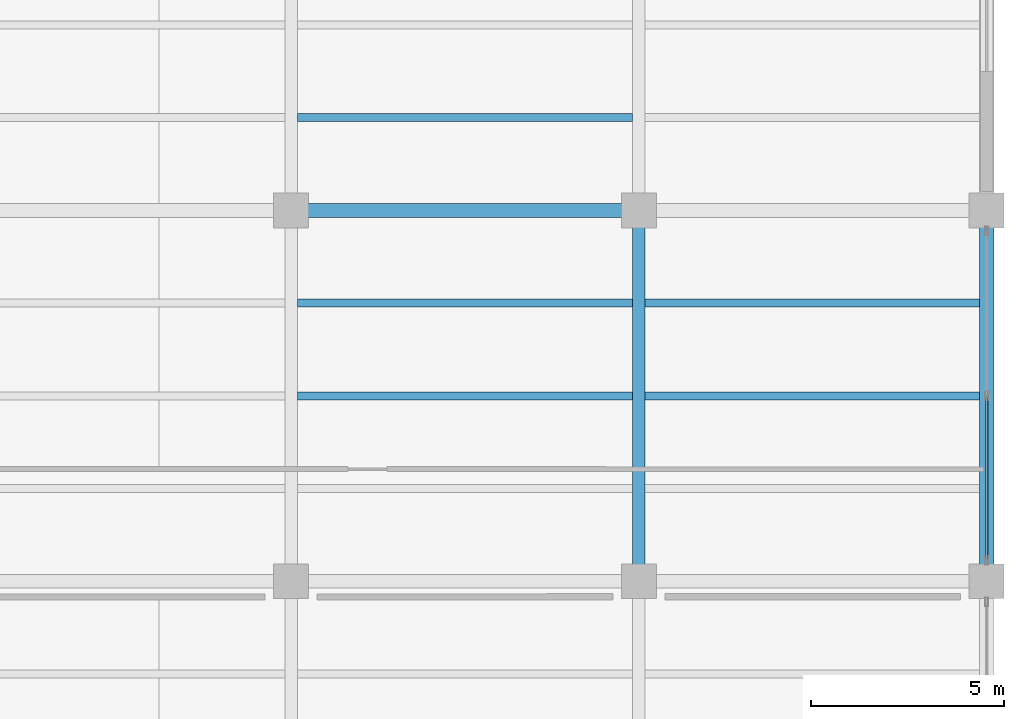
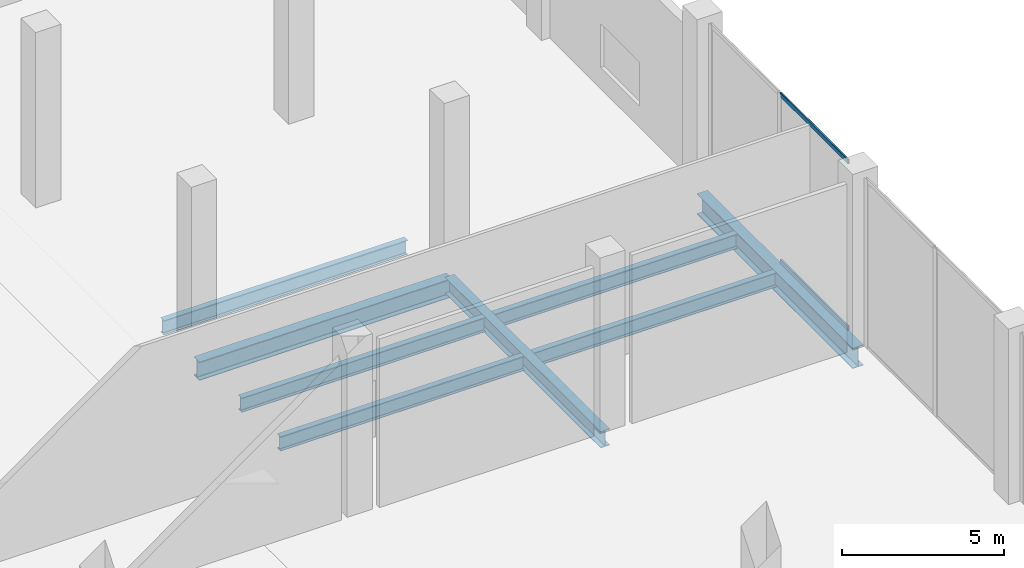
# One storey, part 20 of 45: 8 beams, 2 members, 1 element without a shape of its own.
"""IFC4 building model written with IfcOpenShell, lengths in metres."""

from ifc_helpers import new_model, si_unit, direction, frame, origin, origin_2d, place, context, subcontext, project, spatial, hollow_rectangle, i_section, extrude, material, layer, layer_set, material_profile, profile_set, type_object, element, aggregate, save


model = new_model("IFC4")

# Units and contexts
model_context = context("Model", 3, precision=1e-05, world=origin(), true_north=direction((0.0, 1.0)))
body_context = subcontext(model_context, "Body", "Model", "MODEL_VIEW")
ifc_project = project(units=[si_unit("LENGTHUNIT", "METRE"), si_unit("AREAUNIT", "SQUARE_METRE"), si_unit("VOLUMEUNIT", "CUBIC_METRE"), si_unit("PLANEANGLEUNIT", "RADIAN"), si_unit("MASSUNIT", "GRAM", prefix="KILO")], contexts=[model_context])

# Site, building, storey
site_placement = place(None, origin())
site = spatial("IfcSite", under=ifc_project, at=site_placement, CompositionType="ELEMENT")
building_placement = place(site_placement, origin())
building = spatial("IfcBuilding", under=site, at=building_placement, Name="Qorvath Tower", CompositionType="ELEMENT")
storey_placement = place(building_placement, origin())
storey = spatial("IfcBuildingStorey", under=building, at=storey_placement, Name="L00", CompositionType="ELEMENT", Elevation=0.0)

# Beams
ifc_material_1 = material(Name="Steel ASTM A992 Grade 50", Category="steel")
ifc_material_profile_1 = material_profile(ifc_material_1, i_section(OverallWidth=0.381103515625, OverallDepth=0.77294921875, WebThickness=0.0166015625, FlangeThickness=0.027099609375, FilletRadius=0.01904296875, at=origin_2d()), Name="W30x173")
ifc_profile_set_1 = profile_set([ifc_material_profile_1], Name="Steel ASTM A992 Grade 50")
beam_type_1 = type_object("IfcBeamType", Name="BM-FG3", PredefinedType="BEAM", material=ifc_profile_set_1)
beam_1_placement = place(storey_placement, frame((77.39990234375, 9.60009765625, -0.6865234375), z_axis=(0.0, 1.0, 0.0), x_axis=(-1.0, 0.0, 0.0)))
element("IfcBeam", 1, at=beam_1_placement, inside=storey, type_object=beam_type_1, Name="Library N-S Girder L00-6-6", PredefinedType="BEAM", context=body_context, shape_type="SweptSolid", body=[
    extrude(i_section(OverallWidth=0.381103515625, OverallDepth=0.77294921875, WebThickness=0.0166015625, FlangeThickness=0.027099609375, FilletRadius=0.01904296875, at=origin_2d()), origin(), (0.0, 0.0, 1.0), 9.599853515625),
])
ifc_material_2 = material(Name="Steel ASTM A992 Grade 50", Category="steel")
ifc_material_profile_2 = material_profile(ifc_material_2, i_section(OverallWidth=0.35595703125, OverallDepth=0.696044921875, WebThickness=0.015380859375, FlangeThickness=0.02490234375, FilletRadius=0.01806640625, at=origin_2d()), Name="W27x146")
ifc_profile_set_2 = profile_set([ifc_material_profile_2], Name="Steel ASTM A992 Grade 50")
beam_type_2 = type_object("IfcBeamType", Name="BM-FG4", PredefinedType="BEAM", material=ifc_profile_set_2)
beam_2_placement = place(storey_placement, frame((59.39990234375, 19.199951171875, -0.64794921875), z_axis=(1.0, 0.0, 0.0), x_axis=(0.0, 1.0, 0.0)))
element("IfcBeam", 2, at=beam_2_placement, inside=storey, type_object=beam_type_2, Name="Library E-W Girder L00-7-4", PredefinedType="BEAM", context=body_context, shape_type="SweptSolid", body=[
    extrude(i_section(OverallWidth=0.35595703125, OverallDepth=0.696044921875, WebThickness=0.015380859375, FlangeThickness=0.02490234375, FilletRadius=0.01806640625, at=origin_2d()), origin(), (0.0, 0.0, 1.0), 9.0),
])
ifc_material_3 = material(Name="Steel ASTM A992 Grade 50", Category="steel")
ifc_material_profile_3 = material_profile(ifc_material_3, i_section(OverallWidth=0.324951171875, OverallDepth=0.615966796875, WebThickness=0.013916015625, FlangeThickness=0.021484375, FilletRadius=0.01611328125, at=origin_2d()), Name="W24x117")
ifc_profile_set_3 = profile_set([ifc_material_profile_3], Name="Steel ASTM A992 Grade 50")
beam_type_3 = type_object("IfcBeamType", Name="BM-FG5", PredefinedType="BEAM", material=ifc_profile_set_3)
beam_3_placement = place(storey_placement, frame((68.39990234375, 9.60009765625, -0.60791015625), z_axis=(0.0, 1.0, 0.0), x_axis=(-1.0, 0.0, 0.0)))
element("IfcBeam", 3, at=beam_3_placement, inside=storey, type_object=beam_type_3, Name="Library N-S Girder L00-5-6", PredefinedType="BEAM", context=body_context, shape_type="SweptSolid", body=[
    extrude(i_section(OverallWidth=0.324951171875, OverallDepth=0.615966796875, WebThickness=0.013916015625, FlangeThickness=0.021484375, FilletRadius=0.01611328125, at=origin_2d()), origin(), (0.0, 0.0, 1.0), 9.599853515625),
])
ifc_material_4 = material(Name="Steel ASTM A992 Grade 50", Category="steel")
ifc_material_profile_4 = material_profile(ifc_material_4, i_section(OverallWidth=0.2119140625, OverallDepth=0.5439453125, WebThickness=0.01318359375, FlangeThickness=0.021240234375, FilletRadius=0.013916015625, at=origin_2d()), Name="W21x83")
ifc_profile_set_4 = profile_set([ifc_material_profile_4], Name="Steel ASTM A992 Grade 50")
beam_type_4 = type_object("IfcBeamType", Name="BM-FJ1", PredefinedType="JOIST", material=ifc_profile_set_4)
beam_4_placement = place(storey_placement, frame((59.560546875, 14.39990234375, -0.572021484375), z_axis=(1.0, 0.0, 0.0), x_axis=(0.0, 1.0, 0.0)))
element("IfcBeam", 4, at=beam_4_placement, inside=storey, type_object=beam_type_4, Name="Library Stack Joist L00-6.2-4", PredefinedType="JOIST", context=body_context, shape_type="SweptSolid", body=[
    extrude(i_section(OverallWidth=0.2119140625, OverallDepth=0.5439453125, WebThickness=0.01318359375, FlangeThickness=0.021240234375, FilletRadius=0.013916015625, at=origin_2d()), origin(), (0.0, 0.0, 1.0), 8.678955078125),
])
beam_5_placement = place(storey_placement, frame((68.560546875, 14.39990234375, -0.572021484375), z_axis=(1.0, 0.0, 0.0), x_axis=(0.0, 1.0, 0.0)))
element("IfcBeam", 5, at=beam_5_placement, inside=storey, type_object=beam_type_4, Name="Library Stack Joist L00-6.2-5", PredefinedType="JOIST", context=body_context, shape_type="SweptSolid", body=[
    extrude(i_section(OverallWidth=0.2119140625, OverallDepth=0.5439453125, WebThickness=0.01318359375, FlangeThickness=0.021240234375, FilletRadius=0.013916015625, at=origin_2d()), origin(), (0.0, 0.0, 1.0), 8.65087890625),
])
beam_6_placement = place(storey_placement, frame((59.560546875, 16.800048828125, -0.572021484375), z_axis=(1.0, 0.0, 0.0), x_axis=(0.0, 1.0, 0.0)))
element("IfcBeam", 6, at=beam_6_placement, inside=storey, type_object=beam_type_4, Name="Library Stack Joist L00-6.3-4", PredefinedType="JOIST", context=body_context, shape_type="SweptSolid", body=[
    extrude(i_section(OverallWidth=0.2119140625, OverallDepth=0.5439453125, WebThickness=0.01318359375, FlangeThickness=0.021240234375, FilletRadius=0.013916015625, at=origin_2d()), origin(), (0.0, 0.0, 1.0), 8.678955078125),
])
beam_7_placement = place(storey_placement, frame((68.560546875, 16.800048828125, -0.572021484375), z_axis=(1.0, 0.0, 0.0), x_axis=(0.0, 1.0, 0.0)))
element("IfcBeam", 7, at=beam_7_placement, inside=storey, type_object=beam_type_4, Name="Library Stack Joist L00-6.3-5", PredefinedType="JOIST", context=body_context, shape_type="SweptSolid", body=[
    extrude(i_section(OverallWidth=0.2119140625, OverallDepth=0.5439453125, WebThickness=0.01318359375, FlangeThickness=0.021240234375, FilletRadius=0.013916015625, at=origin_2d()), origin(), (0.0, 0.0, 1.0), 8.65087890625),
])
beam_8_placement = place(storey_placement, frame((59.560546875, 21.60009765625, -0.572021484375), z_axis=(1.0, 0.0, 0.0), x_axis=(0.0, 1.0, 0.0)))
element("IfcBeam", 8, at=beam_8_placement, inside=storey, type_object=beam_type_4, Name="Library Stack Joist L00-7.1-4", PredefinedType="JOIST", context=body_context, shape_type="SweptSolid", body=[
    extrude(i_section(OverallWidth=0.2119140625, OverallDepth=0.5439453125, WebThickness=0.01318359375, FlangeThickness=0.021240234375, FilletRadius=0.013916015625, at=origin_2d()), origin(), (0.0, 0.0, 1.0), 8.678955078125),
])

# Curtain wall, members
ifc_material_5 = material(Name="Anodised aluminium and triple low-E glass", Category="aluminium")
ifc_layer = layer(ifc_material_5, 0.179931640625)
ifc_layer_set = layer_set([ifc_layer], Name="CW-SYS-6")
curtain_wall_type = type_object("IfcCurtainWallType", Name="CW-SYS-6", PredefinedType="NOTDEFINED", material=ifc_layer_set)
curtain_wall_placement = place(storey_placement, origin())
curtain_wall = element("IfcCurtainWall", 9, at=curtain_wall_placement, inside=storey, type_object=curtain_wall_type, Name="Curtain Wall CW-6 CW-LIB-E-L00-6", PredefinedType="NOTDEFINED")
ifc_material_6 = material(Name="Anodised aluminium 6063-T6", Category="aluminium")
ifc_material_profile_5 = material_profile(ifc_material_6, hollow_rectangle(XDim=0.06494140625, YDim=0.159912109375, WallThickness=0.00341796875, InnerFilletRadius=0.00341796875, OuterFilletRadius=0.007080078125, at=origin_2d()), Name="CWT 160x65")
ifc_profile_set_5 = profile_set([ifc_material_profile_5], Name="Anodised aluminium 6063-T6")
member_type = type_object("IfcMemberType", Name="CWT-160", PredefinedType="USERDEFINED", material=ifc_profile_set_5)
member_1_placement = place(storey_placement, frame((77.39990234375, 10.175048828125, 0.032470703125), z_axis=(0.0, 1.0, 0.0), x_axis=(-1.0, 0.0, 0.0)))
member_1 = element("IfcMember", 10, at=member_1_placement, type_object=member_type, Name="CW-6 transom 1.1", ObjectType="TRANSOM", PredefinedType="USERDEFINED", context=body_context, shape_type="SweptSolid", body=[
    extrude(hollow_rectangle(XDim=0.06494140625, YDim=0.159912109375, WallThickness=0.00341796875, InnerFilletRadius=0.00341796875, OuterFilletRadius=0.007080078125, at=origin_2d()), origin(), (0.0, 0.0, 1.0), 4.18505859375),
])
member_2_placement = place(storey_placement, frame((77.39990234375, 10.175048828125, 6.3076171875), z_axis=(0.0, 1.0, 0.0), x_axis=(-1.0, 0.0, 0.0)))
member_2 = element("IfcMember", 11, at=member_2_placement, type_object=member_type, Name="CW-6 transom 1.2", ObjectType="TRANSOM", PredefinedType="USERDEFINED", context=body_context, shape_type="SweptSolid", body=[
    extrude(hollow_rectangle(XDim=0.06494140625, YDim=0.159912109375, WallThickness=0.00341796875, InnerFilletRadius=0.00341796875, OuterFilletRadius=0.007080078125, at=origin_2d()), origin(), (0.0, 0.0, 1.0), 4.18505859375),
])
aggregate(curtain_wall, [member_1, member_2])

save(model, "model.ifc")
